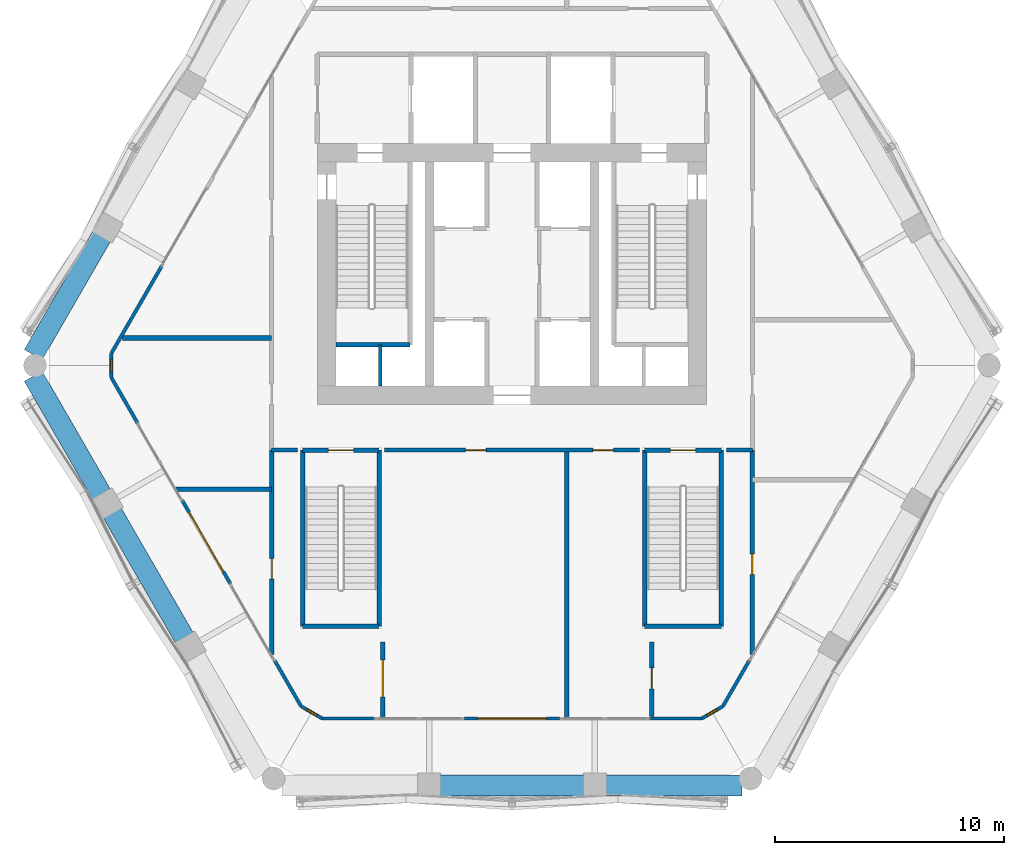
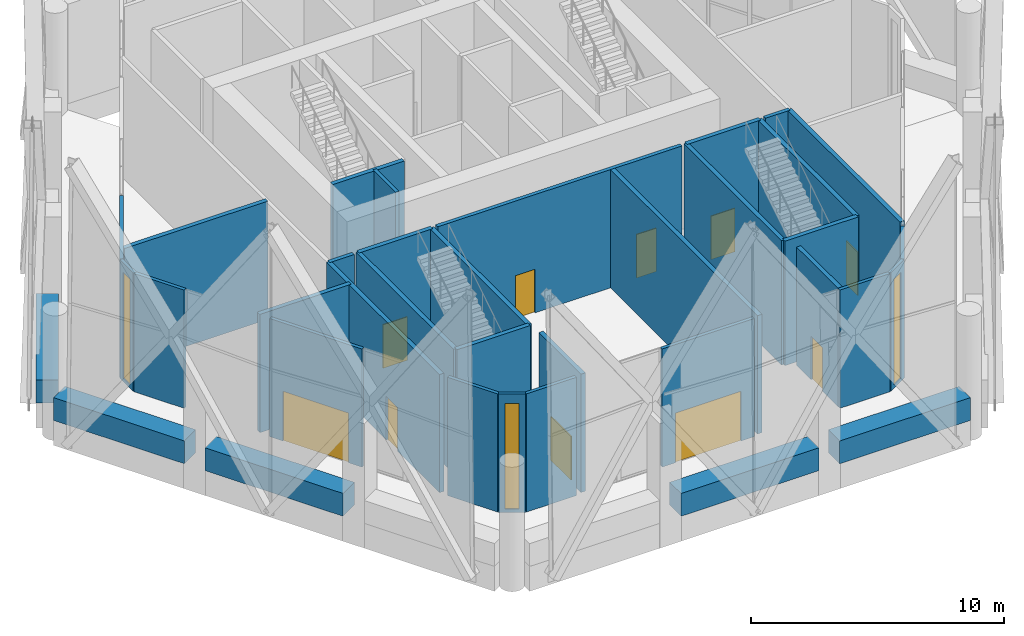
# One storey, part 35 of 43: 36 walls, 10 doors, 3 windows, 13 openings.
"""IFC4 building model written with IfcOpenShell, lengths in metres."""

from ifc_helpers import new_model, si_unit, direction, frame, frame_2d, origin, place, context, subcontext, project, spatial, rectangle, extrude, material, layer, layer_set, type_object, element, fill, save


model = new_model("IFC4")

# Units and contexts
model_context = context("Model", 3, precision=1e-05, world=origin(), true_north=direction((0.0, 1.0)))
body_context = subcontext(model_context, "Body", "Model", "MODEL_VIEW")
ifc_project = project(units=[si_unit("LENGTHUNIT", "METRE"), si_unit("AREAUNIT", "SQUARE_METRE"), si_unit("VOLUMEUNIT", "CUBIC_METRE"), si_unit("PLANEANGLEUNIT", "RADIAN"), si_unit("MASSUNIT", "GRAM", prefix="KILO")], contexts=[model_context])

# Site, building, storey
site_placement = place(None, origin())
site = spatial("IfcSite", under=ifc_project, at=site_placement, CompositionType="ELEMENT")
building_placement = place(site_placement, origin())
building = spatial("IfcBuilding", under=site, at=building_placement, Name="Ostrander Bayou Hotel Tower", CompositionType="ELEMENT")
storey_placement = place(building_placement, frame((0.0, 0.0, 151.0)))
storey = spatial("IfcBuildingStorey", under=building, at=storey_placement, Name="L37", CompositionType="ELEMENT", Elevation=151.0)

# Wall
ifc_material_1 = material(Name="Aluminium framed insulated wall", Category="aluminium")
ifc_layer_1 = layer(ifc_material_1, 0.14990234375)
ifc_layer_set_1 = layer_set([ifc_layer_1], Name="GW1 glass-line wall 150 mm")
wall_type_1 = type_object("IfcWallType", Name="GW1 glass-line wall 150 mm", PredefinedType="SOLIDWALL", material=ifc_layer_set_1)
wall_1_placement = place(storey_placement, frame((-15.308349609375, 4.3349609375, 0.0), z_axis=(0.0, 0.0, 1.0), x_axis=(-0.500032091566, -0.866006874918, 0.0)))
element("IfcWall", 1, at=wall_1_placement, inside=storey, type_object=wall_type_1, Name="GW1 L37 NW end 2", PredefinedType="SOLIDWALL", context=body_context, shape_type="SweptSolid", body=[
    extrude(rectangle(XDim=4.390869140625, YDim=0.14990234375, at=frame_2d((2.1953125, 0.0))), origin(), (0.0, 0.0, 1.0), 5.699951171875),
])

# Wall, opening, door
wall_2_placement = place(storey_placement, frame((-14.408447265625, -5.893798828125, 0.0), z_axis=(0.0, 0.0, 1.0), x_axis=(0.500002543286, -0.866023935413, 0.0)))
wall_2 = element("IfcWall", 2, at=wall_2_placement, inside=storey, type_object=wall_type_1, Name="GW1 L37 SW 2", PredefinedType="SOLIDWALL", context=body_context, shape_type="SweptSolid", body=[
    extrude(rectangle(XDim=4.2001953125, YDim=0.14990234375, at=frame_2d((2.10009765625, 0.0))), origin(), (0.0, 0.0, 1.0), 5.699951171875),
])
opening_1_placement = place(wall_2_placement, frame((0.60009765625, 0.0, 0.0)))
opening_1 = element("IfcOpeningElement", 3, at=opening_1_placement, cuts=wall_2, Name="Opening T37-801", PredefinedType="OPENING", context=body_context, shape_type="SweptSolid", body=[
    extrude(rectangle(XDim=3.0, YDim=2.39990234375, at=frame_2d((1.5, 1.199951171875))), frame((0.0, 0.074951171875, 0.0), z_axis=(0.0, -1.0, 0.0), x_axis=(1.0, 0.0, 0.0)), (0.0, 0.0, 1.0), 0.14990234375),
])
ifc_material_2 = material(Name="Aluminium and clear glass", Category="aluminium")
door_type_1 = type_object("IfcDoorType", Name="SD5 sliding glass door 3000 mm", OperationType="SLIDING_TO_LEFT", PredefinedType="DOOR", material=ifc_material_2)
door_1_placement = place(opening_1_placement, origin())
door_1 = element("IfcDoor", 4, at=door_1_placement, inside=storey, type_object=door_type_1, Name="SD5 L37 SW 2", OperationType="SLIDING_TO_RIGHT", OverallHeight=2.39990234375, OverallWidth=3.0, PredefinedType="DOOR", context=body_context, shape_type="SweptSolid", body=[
    extrude(rectangle(XDim=3.0, YDim=2.39990234375, at=frame_2d((1.5, 1.199951171875))), frame((0.0, 0.02490234375, 0.0), z_axis=(0.0, -1.0, 0.0), x_axis=(1.0, 0.0, 0.0)), (0.0, 0.0, 1.0), 0.050048828125),
])
fill(opening_1, door_1)

# Walls
for number, where, z_axis, x_axis, name in (
    (5, (-17.50390625, -0.532470703125, 0.0), (0.0, 0.0, 1.0), (0.500036104519, -0.866004557827, 0.0), "GW1 L37 SW end 1"),
    (6, (-10.3583984375, -12.90869140625, 0.0), (0.0, 0.0, 1.0), (0.499956172933, -0.866050705875, 0.0), "GW1 L37 SW end 2"),
):
    element("IfcWall", number, at=place(storey_placement, frame(where, z_axis=z_axis, x_axis=x_axis)), inside=storey, type_object=wall_type_1, Name=name, PredefinedType="SOLIDWALL", context=body_context, shape_type="SweptSolid", body=[
        extrude(rectangle(XDim=2.290771484375, YDim=0.14990234375, at=frame_2d((1.1455078125, 0.0))), origin(), (0.0, 0.0, 1.0), 5.699951171875),
    ])

# Wall, opening, door
wall_3_placement = place(storey_placement, frame((-2.10009765625, -15.425048828125, 0.0), z_axis=(0.0, 0.0, 1.0), x_axis=(1.0, 0.0, 0.0)))
wall_3 = element("IfcWall", 7, at=wall_3_placement, inside=storey, type_object=wall_type_1, Name="GW1 L37 S 2", PredefinedType="SOLIDWALL", context=body_context, shape_type="SweptSolid", body=[
    extrude(rectangle(XDim=4.2001953125, YDim=0.14990234375, at=frame_2d((2.10009765625, 0.0))), origin(), (0.0, 0.0, 1.0), 5.699951171875),
])
opening_2_placement = place(wall_3_placement, frame((0.60009765625, 0.0, 0.0)))
opening_2 = element("IfcOpeningElement", 8, at=opening_2_placement, cuts=wall_3, Name="Opening T37-802", PredefinedType="OPENING", context=body_context, shape_type="SweptSolid", body=[
    extrude(rectangle(XDim=3.0, YDim=2.39990234375, at=frame_2d((1.5, 1.199951171875))), frame((0.0, 0.074951171875, 0.0), z_axis=(0.0, -1.0, 0.0), x_axis=(1.0, 0.0, 0.0)), (0.0, 0.0, 1.0), 0.14990234375),
])
door_2_placement = place(opening_2_placement, origin())
door_2 = element("IfcDoor", 9, at=door_2_placement, inside=storey, type_object=door_type_1, Name="SD5 L37 S 2", OperationType="SLIDING_TO_RIGHT", OverallHeight=2.39990234375, OverallWidth=3.0, PredefinedType="DOOR", context=body_context, shape_type="SweptSolid", body=[
    extrude(rectangle(XDim=3.0, YDim=2.39990234375, at=frame_2d((1.5, 1.199951171875))), frame((0.0, 0.02490234375, 0.0), z_axis=(0.0, -1.0, 0.0), x_axis=(1.0, 0.0, 0.0)), (0.0, 0.0, 1.0), 0.050048828125),
])
fill(opening_2, door_2)

# Walls
for number, where, z_axis, x_axis, name in (
    (10, (-8.290771484375, -15.425048828125, 0.0), (0.0, 0.0, 1.0), (1.0, 0.0, 0.0), "GW1 L37 S end 1"),
    (11, (6.0, -15.425048828125, 0.0), (0.0, 0.0, 1.0), (1.0, 0.0, 0.0), "GW1 L37 S end 2"),
    (12, (9.213134765625, -14.892578125, 0.0), (0.0, 0.0, 1.0), (0.499956172933, 0.866050705875, 0.0), "GW1 L37 SE end 1"),
):
    element("IfcWall", number, at=place(storey_placement, frame(where, z_axis=z_axis, x_axis=x_axis)), inside=storey, type_object=wall_type_1, Name=name, PredefinedType="SOLIDWALL", context=body_context, shape_type="SweptSolid", body=[
        extrude(rectangle(XDim=2.290771484375, YDim=0.14990234375, at=frame_2d((1.1455078125, 0.0))), origin(), (0.0, 0.0, 1.0), 5.699951171875),
    ])

# Wall, opening, window
wall_4_placement = place(storey_placement, frame((-17.50390625, 0.532470703125, 0.0), z_axis=(0.0, 0.0, 1.0), x_axis=(0.0, -1.0, 0.0)))
wall_4 = element("IfcWall", 13, at=wall_4_placement, inside=storey, type_object=wall_type_1, Name="GW1 L37 corner 2", PredefinedType="SOLIDWALL", context=body_context, shape_type="SweptSolid", body=[
    extrude(rectangle(XDim=1.06494140625, YDim=0.14990234375, at=frame_2d((0.532470703125, 0.0))), origin(), (0.0, 0.0, 1.0), 5.699951171875),
])
opening_3_placement = place(wall_4_placement, frame((0.257568359375, 0.0, 0.14990234375)))
opening_3 = element("IfcOpeningElement", 14, at=opening_3_placement, cuts=wall_4, Name="Opening W19", PredefinedType="OPENING", context=body_context, shape_type="SweptSolid", body=[
    extrude(rectangle(XDim=0.550048828125, YDim=5.10009765625, at=frame_2d((0.27490234375, 2.550048828125))), frame((0.0, 0.074951171875, 0.0), z_axis=(0.0, -1.0, 0.0), x_axis=(1.0, 0.0, 0.0)), (0.0, 0.0, 1.0), 0.14990234375),
])
ifc_material_3 = material(Name="Aluminium and clear glass", Category="aluminium")
window_type = type_object("IfcWindowType", Name="W19 corner window 550 mm", PartitioningType="SINGLE_PANEL", PredefinedType="WINDOW", material=ifc_material_3)
window_1_placement = place(opening_3_placement, origin())
window_1 = element("IfcWindow", 15, at=window_1_placement, inside=storey, type_object=window_type, Name="W19 L37 corner 2", OverallHeight=5.10009765625, OverallWidth=0.550048828125, PartitioningType="SINGLE_PANEL", PredefinedType="WINDOW", context=body_context, shape_type="SweptSolid", body=[
    extrude(rectangle(XDim=0.550048828125, YDim=5.10009765625, at=frame_2d((0.27490234375, 2.550048828125))), frame((0.0, 0.030029296875, 0.0), z_axis=(0.0, -1.0, 0.0), x_axis=(1.0, 0.0, 0.0)), (0.0, 0.0, 1.0), 0.06005859375),
])
fill(opening_3, window_1)

wall_5_placement = place(storey_placement, frame((-9.213134765625, -14.892578125, 0.0), z_axis=(0.0, 0.0, 1.0), x_axis=(0.866048165231, -0.499960573946, 0.0)))
wall_5 = element("IfcWall", 16, at=wall_5_placement, inside=storey, type_object=wall_type_1, Name="GW1 L37 corner 3", PredefinedType="SOLIDWALL", context=body_context, shape_type="SweptSolid", body=[
    extrude(rectangle(XDim=1.06494140625, YDim=0.14990234375, at=frame_2d((0.532470703125, 0.0))), origin(), (0.0, 0.0, 1.0), 5.699951171875),
])
opening_4_placement = place(wall_5_placement, frame((0.257568359375, 0.0, 0.14990234375)))
opening_4 = element("IfcOpeningElement", 17, at=opening_4_placement, cuts=wall_5, Name="Opening W19", PredefinedType="OPENING", context=body_context, shape_type="SweptSolid", body=[
    extrude(rectangle(XDim=0.550048828125, YDim=5.10009765625, at=frame_2d((0.27490234375, 2.550048828125))), frame((0.0, 0.074951171875, 0.0), z_axis=(0.0, -1.0, 0.0), x_axis=(1.0, 0.0, 0.0)), (0.0, 0.0, 1.0), 0.14990234375),
])
window_2_placement = place(opening_4_placement, origin())
window_2 = element("IfcWindow", 18, at=window_2_placement, inside=storey, type_object=window_type, Name="W19 L37 corner 3", OverallHeight=5.10009765625, OverallWidth=0.550048828125, PartitioningType="SINGLE_PANEL", PredefinedType="WINDOW", context=body_context, shape_type="SweptSolid", body=[
    extrude(rectangle(XDim=0.550048828125, YDim=5.10009765625, at=frame_2d((0.27490234375, 2.550048828125))), frame((0.0, 0.030029296875, 0.0), z_axis=(0.0, -1.0, 0.0), x_axis=(1.0, 0.0, 0.0)), (0.0, 0.0, 1.0), 0.06005859375),
])
fill(opening_4, window_2)

wall_6_placement = place(storey_placement, frame((8.290771484375, -15.425048828125, 0.0), z_axis=(0.0, 0.0, 1.0), x_axis=(0.866048165231, 0.499960573946, 0.0)))
wall_6 = element("IfcWall", 19, at=wall_6_placement, inside=storey, type_object=wall_type_1, Name="GW1 L37 corner 4", PredefinedType="SOLIDWALL", context=body_context, shape_type="SweptSolid", body=[
    extrude(rectangle(XDim=1.06494140625, YDim=0.14990234375, at=frame_2d((0.532470703125, 0.0))), origin(), (0.0, 0.0, 1.0), 5.699951171875),
])
opening_5_placement = place(wall_6_placement, frame((0.257568359375, 0.0, 0.14990234375)))
opening_5 = element("IfcOpeningElement", 20, at=opening_5_placement, cuts=wall_6, Name="Opening W19", PredefinedType="OPENING", context=body_context, shape_type="SweptSolid", body=[
    extrude(rectangle(XDim=0.550048828125, YDim=5.10009765625, at=frame_2d((0.27490234375, 2.550048828125))), frame((0.0, 0.074951171875, 0.0), z_axis=(0.0, -1.0, 0.0), x_axis=(1.0, 0.0, 0.0)), (0.0, 0.0, 1.0), 0.14990234375),
])
window_3_placement = place(opening_5_placement, origin())
window_3 = element("IfcWindow", 21, at=window_3_placement, inside=storey, type_object=window_type, Name="W19 L37 corner 4", OverallHeight=5.10009765625, OverallWidth=0.550048828125, PartitioningType="SINGLE_PANEL", PredefinedType="WINDOW", context=body_context, shape_type="SweptSolid", body=[
    extrude(rectangle(XDim=0.550048828125, YDim=5.10009765625, at=frame_2d((0.27490234375, 2.550048828125))), frame((0.0, 0.030029296875, 0.0), z_axis=(0.0, -1.0, 0.0), x_axis=(1.0, 0.0, 0.0)), (0.0, 0.0, 1.0), 0.06005859375),
])
fill(opening_5, window_3)

# Walls
ifc_material_4 = material(Name="Concrete f'c 40 MPa", Category="concrete")
ifc_layer_2 = layer(ifc_material_4, 0.89990234375)
ifc_layer_set_2 = layer_set([ifc_layer_2], Name="PA1 stone-faced parapet 900 mm")
wall_type_2 = type_object("IfcWallType", Name="PA1 stone-faced parapet 900 mm", PredefinedType="PARAPET", material=ifc_layer_set_2)
wall_7_placement = place(storey_placement, frame((-17.935546875, 5.634521484375, 0.0), z_axis=(0.0, 0.0, 1.0), x_axis=(-0.500004760619, -0.866022655223, 0.0)))
element("IfcWall", 22, at=wall_7_placement, inside=storey, type_object=wall_type_2, Name="PA1 L37 NW-3", PredefinedType="PARAPET", context=body_context, shape_type="SweptSolid", body=[
    extrude(rectangle(XDim=5.9638671875, YDim=0.89990234375, at=frame_2d((2.98193359375, 0.0))), origin(), (0.0, 0.0, 1.0), 1.10009765625),
])
wall_8_placement = place(storey_placement, frame((-3.148193359375, -18.35009765625, 0.0), z_axis=(0.0, 0.0, 1.0), x_axis=(1.0, 0.0, 0.0)))
element("IfcWall", 23, at=wall_8_placement, inside=storey, type_object=wall_type_2, Name="PA1 L37 S-2", PredefinedType="PARAPET", context=body_context, shape_type="SweptSolid", body=[
    extrude(rectangle(XDim=6.29638671875, YDim=0.89990234375, at=frame_2d((3.148193359375, 0.0))), origin(), (0.0, 0.0, 1.0), 1.10009765625),
])
wall_9_placement = place(storey_placement, frame((4.088134765625, -18.35009765625, 0.0), z_axis=(0.0, 0.0, 1.0), x_axis=(1.0, 0.0, 0.0)))
element("IfcWall", 24, at=wall_9_placement, inside=storey, type_object=wall_type_2, Name="PA1 L37 S-3", PredefinedType="PARAPET", context=body_context, shape_type="SweptSolid", body=[
    extrude(rectangle(XDim=5.9638671875, YDim=0.89990234375, at=frame_2d((2.98193359375, 0.0))), origin(), (0.0, 0.0, 1.0), 1.10009765625),
])
ifc_material_5 = material(Name="Limestone masonry", Category="masonry")
ifc_layer_3 = layer(ifc_material_5, 0.89990234375)
ifc_layer_set_3 = layer_set([ifc_layer_3], Name="PA2 limestone parapet 900 mm")
wall_type_3 = type_object("IfcWallType", Name="PA2 limestone parapet 900 mm", PredefinedType="PARAPET", material=ifc_layer_set_3)
wall_10_placement = place(storey_placement, frame((-20.91748046875, -0.4697265625, 0.0), z_axis=(0.0, 0.0, 1.0), x_axis=(0.500004760619, -0.866022655223, 0.0)))
element("IfcWall", 25, at=wall_10_placement, inside=storey, type_object=wall_type_3, Name="PA2 L37 SW-1", PredefinedType="PARAPET", context=body_context, shape_type="SweptSolid", body=[
    extrude(rectangle(XDim=5.9638671875, YDim=0.89990234375, at=frame_2d((2.98193359375, 0.0))), origin(), (0.0, 0.0, 1.0), 1.10009765625),
])
wall_11_placement = place(storey_placement, frame((-17.465576171875, -6.44873046875, 0.0), z_axis=(0.0, 0.0, 1.0), x_axis=(0.500013351051, -0.866017695414, 0.0)))
element("IfcWall", 26, at=wall_11_placement, inside=storey, type_object=wall_type_3, Name="PA2 L37 SW-2", PredefinedType="PARAPET", context=body_context, shape_type="SweptSolid", body=[
    extrude(rectangle(XDim=6.296142578125, YDim=0.89990234375, at=frame_2d((3.14794921875, 0.0))), origin(), (0.0, 0.0, 1.0), 1.10009765625),
])
ifc_material_6 = material(Name="Gypsum board partition", Category="finish")
ifc_layer_4 = layer(ifc_material_6, 0.199951171875)
ifc_layer_set_4 = layer_set([ifc_layer_4], Name="PT3 demising wall 200 mm acoustic double stud, 1 hour")
wall_type_4 = type_object("IfcWallType", Name="PT3 demising wall 200 mm acoustic double stud, 1 hour", PredefinedType="PARTITIONING", material=ifc_layer_set_4)
wall_12_placement = place(storey_placement, frame((-14.67236328125, -5.39990234375, 0.0), z_axis=(0.0, 0.0, 1.0), x_axis=(1.0, 0.0, 0.0)))
element("IfcWall", 27, at=wall_12_placement, inside=storey, type_object=wall_type_4, Name="sw:L37:007", PredefinedType="PARTITIONING", context=body_context, shape_type="SweptSolid", body=[
    extrude(rectangle(XDim=4.17236328125, YDim=0.199951171875, at=frame_2d((2.086181640625, 0.0))), origin(), (0.0, 0.0, 1.0), 5.699951171875),
])
wall_13_placement = place(storey_placement, frame((-17.02685546875, 1.199951171875, 0.0), z_axis=(0.0, 0.0, 1.0), x_axis=(1.0, 0.0, 0.0)))
element("IfcWall", 28, at=wall_13_placement, inside=storey, type_object=wall_type_4, Name="sw:L37:009", PredefinedType="PARTITIONING", context=body_context, shape_type="SweptSolid", body=[
    extrude(rectangle(XDim=6.52685546875, YDim=0.199951171875, at=frame_2d((3.263427734375, 0.0))), origin(), (0.0, 0.0, 1.0), 5.699951171875),
])

# Wall, opening, door
wall_14_placement = place(storey_placement, frame((-10.5, -12.63037109375, 0.0), z_axis=(0.0, 0.0, 1.0), x_axis=(0.0, 1.0, 0.0)))
wall_14 = element("IfcWall", 29, at=wall_14_placement, inside=storey, type_object=wall_type_4, Name="sw:L37:011", PredefinedType="PARTITIONING", context=body_context, shape_type="SweptSolid", body=[
    extrude(rectangle(XDim=8.930419921875, YDim=0.199951171875, at=frame_2d((4.46533203125, 0.0))), origin(), (0.0, 0.0, 1.0), 5.699951171875),
])
opening_6_placement = place(wall_14_placement, frame((3.3037109375, 0.0, 0.0)))
opening_6 = element("IfcOpeningElement", 30, at=opening_6_placement, cuts=wall_14, Name="Opening T37-204", PredefinedType="OPENING", context=body_context, shape_type="SweptSolid", body=[
    extrude(rectangle(XDim=0.89990234375, YDim=2.10009765625, at=frame_2d((0.449951171875, 1.050048828125))), frame((0.0, 0.10009765625, 0.0), z_axis=(0.0, -1.0, 0.0), x_axis=(1.0, 0.0, 0.0)), (0.0, 0.0, 1.0), 0.199951171875),
])
ifc_material_7 = material(Name="Timber door leaf", Category="wood")
door_type_2 = type_object("IfcDoorType", Name="D8 room door 900 x 2100 mm", OperationType="SINGLE_SWING_LEFT", PredefinedType="DOOR", material=ifc_material_7)
door_3_placement = place(opening_6_placement, origin())
door_3 = element("IfcDoor", 31, at=door_3_placement, inside=storey, type_object=door_type_2, Name="dr:L37:204", OperationType="SINGLE_SWING_RIGHT", OverallHeight=2.10009765625, OverallWidth=0.89990234375, PredefinedType="DOOR", context=body_context, shape_type="SweptSolid", body=[
    extrude(rectangle(XDim=0.89990234375, YDim=2.10009765625, at=frame_2d((0.449951171875, 1.050048828125))), frame((0.0, 0.02490234375, 0.0), z_axis=(0.0, -1.0, 0.0), x_axis=(1.0, 0.0, 0.0)), (0.0, 0.0, 1.0), 0.050048828125),
])
fill(opening_6, door_3)

wall_15_placement = place(storey_placement, frame((-5.64990234375, -15.406005859375, 0.0), z_axis=(0.0, 0.0, 1.0), x_axis=(0.0, 1.0, 0.0)))
wall_15 = element("IfcWall", 32, at=wall_15_placement, inside=storey, type_object=wall_type_4, Name="sw:L37:012", PredefinedType="PARTITIONING", context=body_context, shape_type="SweptSolid", body=[
    extrude(rectangle(XDim=3.325927734375, YDim=0.199951171875, at=frame_2d((1.6630859375, 0.0))), origin(), (0.0, 0.0, 1.0), 5.699951171875),
])
opening_7_placement = place(wall_15_placement, frame((0.930908203125, 0.0, 0.0)))
opening_7 = element("IfcOpeningElement", 33, at=opening_7_placement, cuts=wall_15, Name="Opening T37-200", PredefinedType="OPENING", context=body_context, shape_type="SweptSolid", body=[
    extrude(rectangle(XDim=1.60009765625, YDim=2.10009765625, at=frame_2d((0.800048828125, 1.050048828125))), frame((0.0, 0.10009765625, 0.0), z_axis=(0.0, -1.0, 0.0), x_axis=(1.0, 0.0, 0.0)), (0.0, 0.0, 1.0), 0.199951171875),
])
ifc_material_8 = material(Name="Timber door leaf", Category="wood")
door_type_3 = type_object("IfcDoorType", Name="D13 double door 1600 x 2100 mm, 1 hour", OperationType="SINGLE_SWING_LEFT", PredefinedType="DOOR", material=ifc_material_8)
door_4_placement = place(opening_7_placement, origin())
door_4 = element("IfcDoor", 34, at=door_4_placement, inside=storey, type_object=door_type_3, Name="dr:L37:200", OperationType="DOUBLE_DOOR_SINGLE_SWING", OverallHeight=2.10009765625, OverallWidth=1.60009765625, PredefinedType="DOOR", context=body_context, shape_type="SweptSolid", body=[
    extrude(rectangle(XDim=1.60009765625, YDim=2.10009765625, at=frame_2d((0.800048828125, 1.050048828125))), frame((0.0, 0.02490234375, 0.0), z_axis=(0.0, -1.0, 0.0), x_axis=(1.0, 0.0, 0.0)), (0.0, 0.0, 1.0), 0.050048828125),
])
fill(opening_7, door_4)

# Wall
wall_16_placement = place(storey_placement, frame((2.39990234375, -15.406005859375, 0.0), z_axis=(0.0, 0.0, 1.0), x_axis=(0.0, 1.0, 0.0)))
element("IfcWall", 35, at=wall_16_placement, inside=storey, type_object=wall_type_4, Name="sw:L37:013", PredefinedType="PARTITIONING", context=body_context, shape_type="SweptSolid", body=[
    extrude(rectangle(XDim=11.7060546875, YDim=0.199951171875, at=frame_2d((5.85302734375, 0.0))), origin(), (0.0, 0.0, 1.0), 5.699951171875),
])

# Wall, opening, door
wall_17_placement = place(storey_placement, frame((6.10009765625, -15.344970703125, 0.0), z_axis=(0.0, 0.0, 1.0), x_axis=(0.0, 1.0, 0.0)))
wall_17 = element("IfcWall", 36, at=wall_17_placement, inside=storey, type_object=wall_type_4, Name="sw:L37:015", PredefinedType="PARTITIONING", context=body_context, shape_type="SweptSolid", body=[
    extrude(rectangle(XDim=3.264892578125, YDim=0.199951171875, at=frame_2d((1.63232421875, 0.0))), origin(), (0.0, 0.0, 1.0), 5.699951171875),
])
opening_8_placement = place(wall_17_placement, frame((1.219970703125, 0.0, 0.0)))
opening_8 = element("IfcOpeningElement", 37, at=opening_8_placement, cuts=wall_17, Name="Opening T37-203", PredefinedType="OPENING", context=body_context, shape_type="SweptSolid", body=[
    extrude(rectangle(XDim=0.89990234375, YDim=2.10009765625, at=frame_2d((0.449951171875, 1.050048828125))), frame((0.0, 0.10009765625, 0.0), z_axis=(0.0, -1.0, 0.0), x_axis=(1.0, 0.0, 0.0)), (0.0, 0.0, 1.0), 0.199951171875),
])
door_5_placement = place(opening_8_placement, origin())
door_5 = element("IfcDoor", 38, at=door_5_placement, inside=storey, type_object=door_type_2, Name="dr:L37:203", OperationType="SINGLE_SWING_LEFT", OverallHeight=2.10009765625, OverallWidth=0.89990234375, PredefinedType="DOOR", context=body_context, shape_type="SweptSolid", body=[
    extrude(rectangle(XDim=0.89990234375, YDim=2.10009765625, at=frame_2d((0.449951171875, 1.050048828125))), frame((0.0, 0.02490234375, 0.0), z_axis=(0.0, -1.0, 0.0), x_axis=(1.0, 0.0, 0.0)), (0.0, 0.0, 1.0), 0.050048828125),
])
fill(opening_8, door_5)

wall_18_placement = place(storey_placement, frame((10.5, -12.63037109375, 0.0), z_axis=(0.0, 0.0, 1.0), x_axis=(0.0, 1.0, 0.0)))
wall_18 = element("IfcWall", 39, at=wall_18_placement, inside=storey, type_object=wall_type_4, Name="sw:L37:016", PredefinedType="PARTITIONING", context=body_context, shape_type="SweptSolid", body=[
    extrude(rectangle(XDim=8.930419921875, YDim=0.199951171875, at=frame_2d((4.46533203125, 0.0))), origin(), (0.0, 0.0, 1.0), 5.699951171875),
])
opening_9_placement = place(wall_18_placement, frame((3.503662109375, 0.0, 0.0)))
opening_9 = element("IfcOpeningElement", 40, at=opening_9_placement, cuts=wall_18, Name="Opening T37-207", PredefinedType="OPENING", context=body_context, shape_type="SweptSolid", body=[
    extrude(rectangle(XDim=0.89990234375, YDim=2.10009765625, at=frame_2d((0.449951171875, 1.050048828125))), frame((0.0, 0.10009765625, 0.0), z_axis=(0.0, -1.0, 0.0), x_axis=(1.0, 0.0, 0.0)), (0.0, 0.0, 1.0), 0.199951171875),
])
door_6_placement = place(opening_9_placement, origin())
door_6 = element("IfcDoor", 41, at=door_6_placement, inside=storey, type_object=door_type_2, Name="dr:L37:207", OperationType="SINGLE_SWING_LEFT", OverallHeight=2.10009765625, OverallWidth=0.89990234375, PredefinedType="DOOR", context=body_context, shape_type="SweptSolid", body=[
    extrude(rectangle(XDim=0.89990234375, YDim=2.10009765625, at=frame_2d((0.449951171875, 1.050048828125))), frame((0.0, 0.02490234375, 0.0), z_axis=(0.0, -1.0, 0.0), x_axis=(1.0, 0.0, 0.0)), (0.0, 0.0, 1.0), 0.050048828125),
])
fill(opening_9, door_6)

# Wall
ifc_material_9 = material(Name="Gypsum board partition", Category="finish")
ifc_layer_5 = layer(ifc_material_9, 0.175048828125)
ifc_layer_set_5 = layer_set([ifc_layer_5], Name="PT4 corridor wall 175 mm, 1 hour")
wall_type_5 = type_object("IfcWallType", Name="PT4 corridor wall 175 mm, 1 hour", PredefinedType="PARTITIONING", material=ifc_layer_set_5)
wall_19_placement = place(storey_placement, frame((-10.5, -3.699951171875, 0.0), z_axis=(0.0, 0.0, 1.0), x_axis=(1.0, 0.0, 0.0)))
element("IfcWall", 42, at=wall_19_placement, inside=storey, type_object=wall_type_5, Name="sw:L37:001", PredefinedType="PARTITIONING", context=body_context, shape_type="SweptSolid", body=[
    extrude(rectangle(XDim=1.1201171875, YDim=0.175048828125, at=frame_2d((0.56005859375, 0.0))), origin(), (0.0, 0.0, 1.0), 5.699951171875),
])

# Wall, openings, doors
wall_20_placement = place(storey_placement, frame((-5.570068359375, -3.699951171875, 0.0), z_axis=(0.0, 0.0, 1.0), x_axis=(1.0, 0.0, 0.0)))
wall_20 = element("IfcWall", 43, at=wall_20_placement, inside=storey, type_object=wall_type_5, Name="sw:L37:002", PredefinedType="PARTITIONING", context=body_context, shape_type="SweptSolid", body=[
    extrude(rectangle(XDim=11.14013671875, YDim=0.175048828125, at=frame_2d((5.570068359375, 0.0))), origin(), (0.0, 0.0, 1.0), 5.699951171875),
])
opening_10_placement = place(wall_20_placement, frame((3.534912109375, 0.0, 0.0)))
opening_10 = element("IfcOpeningElement", 44, at=opening_10_placement, cuts=wall_20, Name="Opening T37-201", PredefinedType="OPENING", context=body_context, shape_type="SweptSolid", body=[
    extrude(rectangle(XDim=0.89990234375, YDim=2.10009765625, at=frame_2d((0.449951171875, 1.050048828125))), frame((0.0, 0.08740234375, 0.0), z_axis=(0.0, -1.0, 0.0), x_axis=(1.0, 0.0, 0.0)), (0.0, 0.0, 1.0), 0.175048828125),
])
opening_11_placement = place(wall_20_placement, frame((9.10498046875, 0.0, 0.0)))
opening_11 = element("IfcOpeningElement", 45, at=opening_11_placement, cuts=wall_20, Name="Opening T37-202", PredefinedType="OPENING", context=body_context, shape_type="SweptSolid", body=[
    extrude(rectangle(XDim=0.89990234375, YDim=2.10009765625, at=frame_2d((0.449951171875, 1.050048828125))), frame((0.0, 0.08740234375, 0.0), z_axis=(0.0, -1.0, 0.0), x_axis=(1.0, 0.0, 0.0)), (0.0, 0.0, 1.0), 0.175048828125),
])
door_7_placement = place(opening_10_placement, origin())
door_7 = element("IfcDoor", 46, at=door_7_placement, inside=storey, type_object=door_type_2, Name="dr:L37:201", OperationType="SINGLE_SWING_LEFT", OverallHeight=2.10009765625, OverallWidth=0.89990234375, PredefinedType="DOOR", context=body_context, shape_type="SweptSolid", body=[
    extrude(rectangle(XDim=0.89990234375, YDim=2.10009765625, at=frame_2d((0.449951171875, 1.050048828125))), frame((0.0, 0.02490234375, 0.0), z_axis=(0.0, -1.0, 0.0), x_axis=(1.0, 0.0, 0.0)), (0.0, 0.0, 1.0), 0.050048828125),
])
fill(opening_10, door_7)
door_8_placement = place(opening_11_placement, origin())
door_8 = element("IfcDoor", 47, at=door_8_placement, inside=storey, type_object=door_type_2, Name="dr:L37:202", OperationType="SINGLE_SWING_RIGHT", OverallHeight=2.10009765625, OverallWidth=0.89990234375, PredefinedType="DOOR", context=body_context, shape_type="SweptSolid", body=[
    extrude(rectangle(XDim=0.89990234375, YDim=2.10009765625, at=frame_2d((0.449951171875, 1.050048828125))), frame((0.0, 0.02490234375, 0.0), z_axis=(0.0, -1.0, 0.0), x_axis=(1.0, 0.0, 0.0)), (0.0, 0.0, 1.0), 0.050048828125),
])
fill(opening_11, door_8)

# Walls
wall_21_placement = place(storey_placement, frame((9.3798828125, -3.699951171875, 0.0), z_axis=(0.0, 0.0, 1.0), x_axis=(1.0, 0.0, 0.0)))
element("IfcWall", 48, at=wall_21_placement, inside=storey, type_object=wall_type_5, Name="sw:L37:003", PredefinedType="PARTITIONING", context=body_context, shape_type="SweptSolid", body=[
    extrude(rectangle(XDim=1.1201171875, YDim=0.175048828125, at=frame_2d((0.56005859375, 0.0))), origin(), (0.0, 0.0, 1.0), 5.699951171875),
])
ifc_material_10 = material(Name="Gypsum board partition", Category="finish")
ifc_layer_6 = layer(ifc_material_10, 0.14990234375)
ifc_layer_set_6 = layer_set([ifc_layer_6], Name="PT7 riser wall 150 mm, 2 hour")
wall_type_6 = type_object("IfcWallType", Name="PT7 riser wall 150 mm, 2 hour", PredefinedType="PARTITIONING", material=ifc_layer_set_6)
wall_22_placement = place(storey_placement, frame((-5.75, -0.89990234375, 0.0), z_axis=(0.0, 0.0, 1.0), x_axis=(0.0, 1.0, 0.0)))
element("IfcWall", 49, at=wall_22_placement, inside=storey, type_object=wall_type_6, Name="cs:L37:011", PredefinedType="PARTITIONING", context=body_context, shape_type="SweptSolid", body=[
    extrude(rectangle(XDim=1.7998046875, YDim=0.14990234375, at=frame_2d((0.89990234375, 0.0))), origin(), (0.0, 0.0, 1.0), 5.699951171875),
])
ifc_material_11 = material(Name="Concrete f'c 45 MPa", Category="concrete")
ifc_layer_7 = layer(ifc_material_11, 0.199951171875)
ifc_layer_set_7 = layer_set([ifc_layer_7], Name="SW5 stair enclosure wall 200 mm f'c 45 MPa")
wall_type_7 = type_object("IfcWallType", Name="SW5 stair enclosure wall 200 mm f'c 45 MPa", PredefinedType="SOLIDWALL", material=ifc_layer_set_7)
wall_23_placement = place(storey_placement, frame((-7.699951171875, 0.89990234375, -0.300048828125), z_axis=(0.0, 0.0, 1.0), x_axis=(1.0, 0.0, 0.0)))
element("IfcWall", 50, at=wall_23_placement, inside=storey, type_object=wall_type_7, Name="cs:L37:010", PredefinedType="SOLIDWALL", context=body_context, shape_type="SweptSolid", body=[
    extrude(rectangle(XDim=3.25, YDim=0.199951171875, at=frame_2d((1.625, 0.0))), origin(), (0.0, 0.0, 1.0), 6.0),
])

# Wall, opening, door
wall_24_placement = place(storey_placement, frame((5.800048828125, -3.699951171875, -0.300048828125), z_axis=(0.0, 0.0, 1.0), x_axis=(1.0, 0.0, 0.0)))
wall_24 = element("IfcWall", 51, at=wall_24_placement, inside=storey, type_object=wall_type_7, Name="cs:L37:015", PredefinedType="SOLIDWALL", context=body_context, shape_type="SweptSolid", body=[
    extrude(rectangle(XDim=3.349853515625, YDim=0.199951171875, at=frame_2d((1.6748046875, 0.0))), origin(), (0.0, 0.0, 1.0), 6.0),
])
opening_12_placement = place(wall_24_placement, frame((1.125, 0.0, 0.0)))
opening_12 = element("IfcOpeningElement", 52, at=opening_12_placement, cuts=wall_24, Name="Opening T37-011", PredefinedType="OPENING", context=body_context, shape_type="SweptSolid", body=[
    extrude(rectangle(XDim=1.10009765625, YDim=2.10009765625, at=frame_2d((0.550048828125, 1.050048828125))), frame((0.0, 0.10009765625, 0.0), z_axis=(0.0, -1.0, 0.0), x_axis=(1.0, 0.0, 0.0)), (0.0, 0.0, 1.0), 0.199951171875),
])
ifc_material_12 = material(Name="Timber door leaf", Category="wood")
door_type_4 = type_object("IfcDoorType", Name="D5 stair door 1100 x 2100 mm, 90 minute", OperationType="SINGLE_SWING_LEFT", PredefinedType="DOOR", material=ifc_material_12)
door_9_placement = place(opening_12_placement, origin())
door_9 = element("IfcDoor", 53, at=door_9_placement, inside=storey, type_object=door_type_4, Name="dr:L37:011", OperationType="SINGLE_SWING_LEFT", OverallHeight=2.10009765625, OverallWidth=1.10009765625, PredefinedType="DOOR", context=body_context, shape_type="SweptSolid", body=[
    extrude(rectangle(XDim=1.10009765625, YDim=2.10009765625, at=frame_2d((0.550048828125, 1.050048828125))), frame((0.0, 0.02490234375, 0.0), z_axis=(0.0, -1.0, 0.0), x_axis=(1.0, 0.0, 0.0)), (0.0, 0.0, 1.0), 0.050048828125),
])
fill(opening_12, door_9)

# Walls
for number, where, z_axis, x_axis, name in (
    (54, (5.800048828125, -3.699951171875, -0.300048828125), (0.0, 0.0, 1.0), (0.0, -1.0, 0.0), "cs:L37:016"),
    (55, (9.14990234375, -3.699951171875, -0.300048828125), (0.0, 0.0, 1.0), (0.0, -1.0, 0.0), "cs:L37:017"),
):
    element("IfcWall", number, at=place(storey_placement, frame(where, z_axis=z_axis, x_axis=x_axis)), inside=storey, type_object=wall_type_7, Name=name, PredefinedType="SOLIDWALL", context=body_context, shape_type="SweptSolid", body=[
        extrude(rectangle(XDim=7.699951171875, YDim=0.199951171875, at=frame_2d((3.85009765625, 0.0))), origin(), (0.0, 0.0, 1.0), 6.0),
    ])
wall_25_placement = place(storey_placement, frame((5.800048828125, -11.39990234375, -0.300048828125), z_axis=(0.0, 0.0, 1.0), x_axis=(1.0, 0.0, 0.0)))
element("IfcWall", 56, at=wall_25_placement, inside=storey, type_object=wall_type_7, Name="cs:L37:018", PredefinedType="SOLIDWALL", context=body_context, shape_type="SweptSolid", body=[
    extrude(rectangle(XDim=3.349853515625, YDim=0.199951171875, at=frame_2d((1.6748046875, 0.0))), origin(), (0.0, 0.0, 1.0), 6.0),
])

# Wall, opening, door
wall_26_placement = place(storey_placement, frame((-9.14990234375, -3.699951171875, -0.300048828125), z_axis=(0.0, 0.0, 1.0), x_axis=(1.0, 0.0, 0.0)))
wall_26 = element("IfcWall", 57, at=wall_26_placement, inside=storey, type_object=wall_type_7, Name="cs:L37:019", PredefinedType="SOLIDWALL", context=body_context, shape_type="SweptSolid", body=[
    extrude(rectangle(XDim=3.349853515625, YDim=0.199951171875, at=frame_2d((1.6748046875, 0.0))), origin(), (0.0, 0.0, 1.0), 6.0),
])
opening_13_placement = place(wall_26_placement, frame((1.125, 0.0, 0.0)))
opening_13 = element("IfcOpeningElement", 58, at=opening_13_placement, cuts=wall_26, Name="Opening T37-012", PredefinedType="OPENING", context=body_context, shape_type="SweptSolid", body=[
    extrude(rectangle(XDim=1.10009765625, YDim=2.10009765625, at=frame_2d((0.550048828125, 1.050048828125))), frame((0.0, 0.10009765625, 0.0), z_axis=(0.0, -1.0, 0.0), x_axis=(1.0, 0.0, 0.0)), (0.0, 0.0, 1.0), 0.199951171875),
])
door_10_placement = place(opening_13_placement, origin())
door_10 = element("IfcDoor", 59, at=door_10_placement, inside=storey, type_object=door_type_4, Name="dr:L37:012", OperationType="SINGLE_SWING_LEFT", OverallHeight=2.10009765625, OverallWidth=1.10009765625, PredefinedType="DOOR", context=body_context, shape_type="SweptSolid", body=[
    extrude(rectangle(XDim=1.10009765625, YDim=2.10009765625, at=frame_2d((0.550048828125, 1.050048828125))), frame((0.0, 0.02490234375, 0.0), z_axis=(0.0, -1.0, 0.0), x_axis=(1.0, 0.0, 0.0)), (0.0, 0.0, 1.0), 0.050048828125),
])
fill(opening_13, door_10)

# Walls
for number, where, z_axis, x_axis, name in (
    (60, (-9.14990234375, -3.699951171875, -0.300048828125), (0.0, 0.0, 1.0), (0.0, -1.0, 0.0), "cs:L37:020"),
    (61, (-5.800048828125, -3.699951171875, -0.300048828125), (0.0, 0.0, 1.0), (0.0, -1.0, 0.0), "cs:L37:021"),
):
    element("IfcWall", number, at=place(storey_placement, frame(where, z_axis=z_axis, x_axis=x_axis)), inside=storey, type_object=wall_type_7, Name=name, PredefinedType="SOLIDWALL", context=body_context, shape_type="SweptSolid", body=[
        extrude(rectangle(XDim=7.699951171875, YDim=0.199951171875, at=frame_2d((3.85009765625, 0.0))), origin(), (0.0, 0.0, 1.0), 6.0),
    ])
wall_27_placement = place(storey_placement, frame((-9.14990234375, -11.39990234375, -0.300048828125), z_axis=(0.0, 0.0, 1.0), x_axis=(1.0, 0.0, 0.0)))
element("IfcWall", 62, at=wall_27_placement, inside=storey, type_object=wall_type_7, Name="cs:L37:022", PredefinedType="SOLIDWALL", context=body_context, shape_type="SweptSolid", body=[
    extrude(rectangle(XDim=3.349853515625, YDim=0.199951171875, at=frame_2d((1.6748046875, 0.0))), origin(), (0.0, 0.0, 1.0), 6.0),
])

save(model, "model.ifc")
